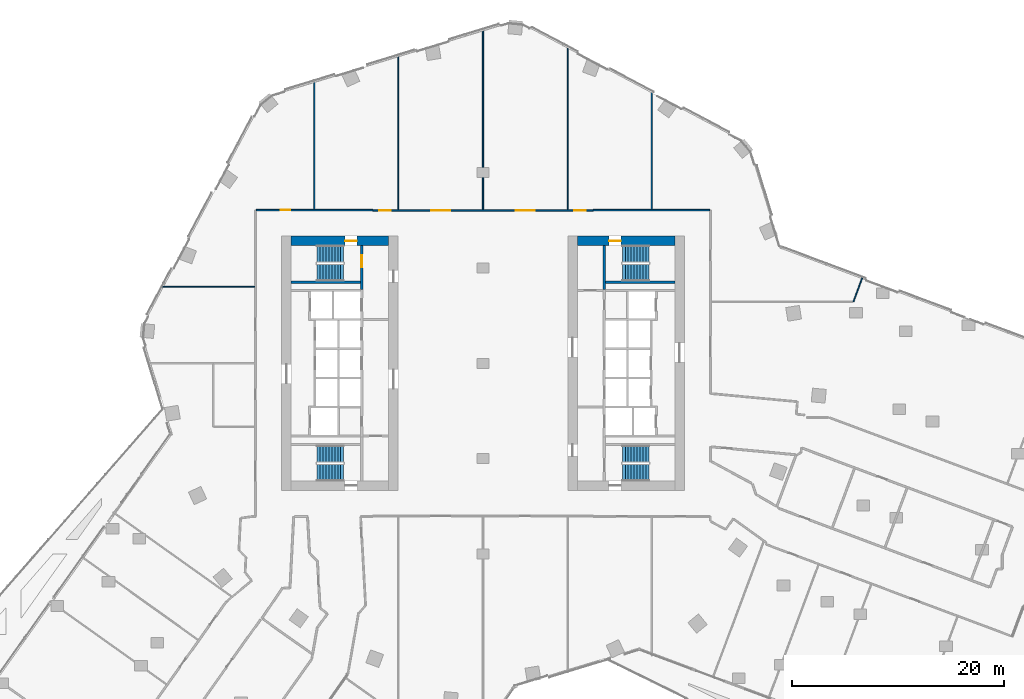
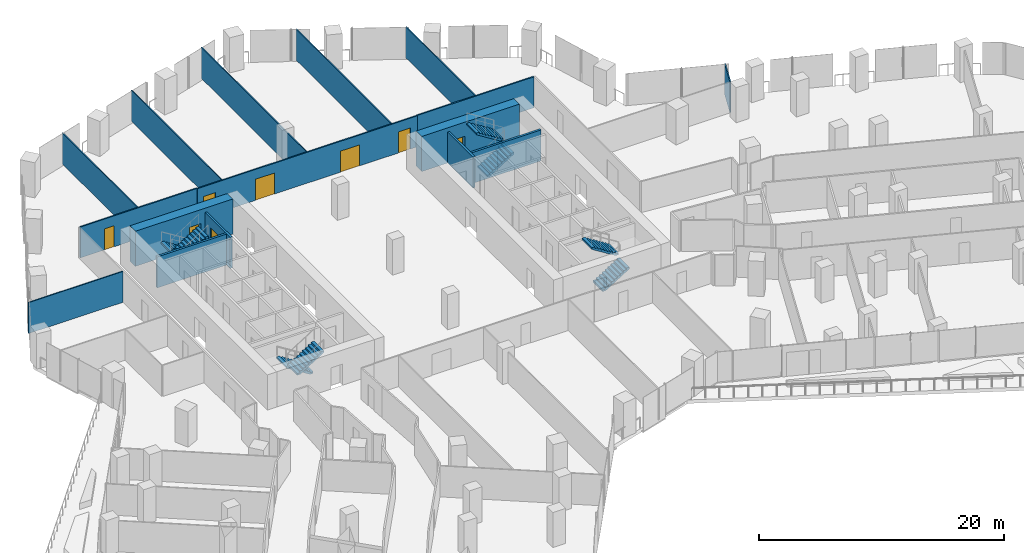
# One storey, part 26 of 30: 16 walls, 8 doors, 8 stair flights, 8 openings, 4 elements without a shape of their own.
"""IFC4 building model written with IfcOpenShell, lengths in metres."""

from ifc_helpers import new_model, si_unit, direction, frame, frame_2d, origin, place, context, subcontext, project, spatial, polyline, rectangle, outline, extrude, material, layer, layer_set, type_object, element, fill, aggregate, save


model = new_model("IFC4")

# Units and contexts
model_context = context("Model", 3, precision=1e-05, world=origin(), true_north=direction((0.0, 1.0)))
body_context = subcontext(model_context, "Body", "Model", "MODEL_VIEW")
ifc_project = project(units=[si_unit("LENGTHUNIT", "METRE"), si_unit("AREAUNIT", "SQUARE_METRE"), si_unit("VOLUMEUNIT", "CUBIC_METRE"), si_unit("PLANEANGLEUNIT", "RADIAN"), si_unit("MASSUNIT", "GRAM", prefix="KILO")], contexts=[model_context])

# Site, building, storey
site_placement = place(None, origin())
site = spatial("IfcSite", under=ifc_project, at=site_placement, CompositionType="ELEMENT")
building_placement = place(site_placement, origin())
building = spatial("IfcBuilding", under=site, at=building_placement, Name="Orlundy Tower", CompositionType="ELEMENT")
storey_placement = place(building_placement, frame((0.0, 0.0, 80.699951171875)))
storey = spatial("IfcBuildingStorey", under=building, at=storey_placement, Name="L19", CompositionType="ELEMENT", Elevation=80.699951171875)

# Wall, opening, door
ifc_material_1 = material(Name="Concrete C80/95", Category="concrete")
ifc_layer_1 = layer(ifc_material_1, 0.89990234375)
ifc_layer_set_1 = layer_set([ifc_layer_1], Name="CORE WALL 900 C80/95")
wall_type_1 = type_object("IfcWallType", Name="CORE WALL 900 C80/95", PredefinedType="SHEAR", material=ifc_layer_set_1)
wall_1_placement = place(storey_placement, frame((-18.10009765625, 11.550048828125, 0.0), z_axis=(0.0, 0.0, 1.0), x_axis=(1.0, 0.0, 0.0)))
wall_1 = element("IfcWall", 1, at=wall_1_placement, inside=storey, type_object=wall_type_1, Name="Core wall W-N L19", PredefinedType="SHEAR", context=body_context, shape_type="SweptSolid", body=[
    extrude(rectangle(XDim=9.2001953125, YDim=0.89990234375, at=frame_2d((4.60009765625, 0.0))), origin(), (0.0, 0.0, 1.0), 3.5),
])
opening_1_placement = place(wall_1_placement, frame((5.10009765625, 0.0, 0.0)))
opening_1 = element("IfcOpeningElement", 2, at=opening_1_placement, cuts=wall_1, Name="Opening 16012", PredefinedType="OPENING", context=body_context, shape_type="SweptSolid", body=[
    extrude(rectangle(XDim=1.10009765625, YDim=2.10009765625, at=frame_2d((0.550048828125, 1.050048828125))), frame((0.0, 0.4599609375, 0.0), z_axis=(0.0, -1.0, 0.0), x_axis=(1.0, 0.0, 0.0)), (0.0, 0.0, 1.0), 0.919921875),
])
ifc_material_2 = material(Name="Steel door set", Category="steel")
door_type_1 = type_object("IfcDoorType", Name="Stair Door 1100x2100", OperationType="SINGLE_SWING_LEFT", PredefinedType="DOOR", material=ifc_material_2)
door_1_placement = place(opening_1_placement, origin())
door_1 = element("IfcDoor", 3, at=door_1_placement, inside=storey, type_object=door_type_1, Name="Stair door 16012", OperationType="SINGLE_SWING_RIGHT", OverallHeight=2.10009765625, OverallWidth=1.10009765625, PredefinedType="DOOR", context=body_context, shape_type="SweptSolid", body=[
    extrude(rectangle(XDim=1.10009765625, YDim=2.10009765625, at=frame_2d((0.550048828125, 1.050048828125))), frame((0.0, 0.02490234375, 0.0), z_axis=(0.0, -1.0, 0.0), x_axis=(1.0, 0.0, 0.0)), (0.0, 0.0, 1.0), 0.050048828125),
])
fill(opening_1, door_1)

wall_2_placement = place(storey_placement, frame((8.89990234375, 11.550048828125, 0.0), z_axis=(0.0, 0.0, 1.0), x_axis=(1.0, 0.0, 0.0)))
wall_2 = element("IfcWall", 4, at=wall_2_placement, inside=storey, type_object=wall_type_1, Name="Core wall E-N L19", PredefinedType="SHEAR", context=body_context, shape_type="SweptSolid", body=[
    extrude(rectangle(XDim=9.2001953125, YDim=0.89990234375, at=frame_2d((4.60009765625, 0.0))), origin(), (0.0, 0.0, 1.0), 3.5),
])
opening_2_placement = place(wall_2_placement, frame((3.0, 0.0, 0.0)))
opening_2 = element("IfcOpeningElement", 5, at=opening_2_placement, cuts=wall_2, Name="Opening 16062", PredefinedType="OPENING", context=body_context, shape_type="SweptSolid", body=[
    extrude(rectangle(XDim=1.10009765625, YDim=2.10009765625, at=frame_2d((0.550048828125, 1.050048828125))), frame((0.0, 0.4599609375, 0.0), z_axis=(0.0, -1.0, 0.0), x_axis=(1.0, 0.0, 0.0)), (0.0, 0.0, 1.0), 0.919921875),
])
door_2_placement = place(opening_2_placement, origin())
door_2 = element("IfcDoor", 6, at=door_2_placement, inside=storey, type_object=door_type_1, Name="Stair door 16062", OperationType="SINGLE_SWING_LEFT", OverallHeight=2.10009765625, OverallWidth=1.10009765625, PredefinedType="DOOR", context=body_context, shape_type="SweptSolid", body=[
    extrude(rectangle(XDim=1.10009765625, YDim=2.10009765625, at=frame_2d((0.550048828125, 1.050048828125))), frame((0.0, 0.02490234375, 0.0), z_axis=(0.0, -1.0, 0.0), x_axis=(1.0, 0.0, 0.0)), (0.0, 0.0, 1.0), 0.050048828125),
])
fill(opening_2, door_2)

# Walls
ifc_material_3 = material(Name="Gypsum board partition")
ifc_layer_2 = layer(ifc_material_3, 0.10009765625)
ifc_layer_set_2 = layer_set([ifc_layer_2], Name="Floor partition 100")
wall_type_2 = type_object("IfcWallType", Name="Floor partition 100", PredefinedType="PARTITIONING", material=ifc_layer_set_2)
wall_3_placement = place(storey_placement, frame((-30.4169921875, 7.22705078125, 0.0), z_axis=(0.0, 0.0, 1.0), x_axis=(1.0, 0.0, 0.0)))
element("IfcWall", 7, at=wall_3_placement, inside=storey, type_object=wall_type_2, Name="wall-int-L19-048", PredefinedType="PARTITIONING", context=body_context, shape_type="SweptSolid", body=[
    extrude(rectangle(XDim=8.905029296875, YDim=0.10009765625, at=frame_2d((4.45263671875, 0.0))), origin(), (0.0, 0.0, 1.0), 3.080078125),
])
wall_4_placement = place(storey_placement, frame((34.93603515625, 5.800048828125, 0.0), z_axis=(0.0, 0.0, 1.0), x_axis=(0.350418907124, 0.936593075743, 0.0)))
element("IfcWall", 8, at=wall_4_placement, inside=storey, type_object=wall_type_2, Name="wall-int-L19-080", PredefinedType="PARTITIONING", context=body_context, shape_type="SweptSolid", body=[
    extrude(rectangle(XDim=2.582763671875, YDim=0.10009765625, at=frame_2d((1.29150390625, 0.0))), origin(), (0.0, 0.0, 1.0), 3.080078125),
])
wall_5_placement = place(storey_placement, frame((15.9208984375, 14.513916015625, 0.0), z_axis=(0.0, 0.0, 1.0), x_axis=(0.0, 1.0, 0.0)))
element("IfcWall", 9, at=wall_5_placement, inside=storey, type_object=wall_type_2, Name="wall-int-L19-095", PredefinedType="PARTITIONING", context=body_context, shape_type="SweptSolid", body=[
    extrude(rectangle(XDim=11.281005859375, YDim=0.10009765625, at=frame_2d((5.640625, 0.0))), origin(), (0.0, 0.0, 1.0), 3.080078125),
])
wall_6_placement = place(storey_placement, frame((8.0, 14.462890625, 0.0), z_axis=(0.0, 0.0, 1.0), x_axis=(0.0, 1.0, 0.0)))
element("IfcWall", 10, at=wall_6_placement, inside=storey, type_object=wall_type_2, Name="wall-int-L19-097", PredefinedType="PARTITIONING", context=body_context, shape_type="SweptSolid", body=[
    extrude(rectangle(XDim=15.543212890625, YDim=0.10009765625, at=frame_2d((7.771484375, 0.0))), origin(), (0.0, 0.0, 1.0), 3.080078125),
])
wall_7_placement = place(storey_placement, frame((0.0, 14.462890625, 0.0), z_axis=(0.0, 0.0, 1.0), x_axis=(0.0, 1.0, 0.0)))
element("IfcWall", 11, at=wall_7_placement, inside=storey, type_object=wall_type_2, Name="wall-int-L19-099", PredefinedType="PARTITIONING", context=body_context, shape_type="SweptSolid", body=[
    extrude(rectangle(XDim=17.169189453125, YDim=0.10009765625, at=frame_2d((8.58447265625, 0.0))), origin(), (0.0, 0.0, 1.0), 3.080078125),
])
wall_8_placement = place(storey_placement, frame((-8.0, 14.462890625, 0.0), z_axis=(0.0, 0.0, 1.0), x_axis=(0.0, 1.0, 0.0)))
element("IfcWall", 12, at=wall_8_placement, inside=storey, type_object=wall_type_2, Name="wall-int-L19-101", PredefinedType="PARTITIONING", context=body_context, shape_type="SweptSolid", body=[
    extrude(rectangle(XDim=14.72314453125, YDim=0.10009765625, at=frame_2d((7.361572265625, 0.0))), origin(), (0.0, 0.0, 1.0), 3.080078125),
])
wall_9_placement = place(storey_placement, frame((-15.919921875, 14.513916015625, 0.0), z_axis=(0.0, 0.0, 1.0), x_axis=(0.0, 1.0, 0.0)))
element("IfcWall", 13, at=wall_9_placement, inside=storey, type_object=wall_type_2, Name="wall-int-L19-102", PredefinedType="PARTITIONING", context=body_context, shape_type="SweptSolid", body=[
    extrude(rectangle(XDim=12.2509765625, YDim=0.10009765625, at=frame_2d((6.12548828125, 0.0))), origin(), (0.0, 0.0, 1.0), 3.080078125),
])

# Wall, openings, doors
ifc_material_4 = material(Name="Gypsum board partition, double layer")
ifc_layer_3 = layer(ifc_material_4, 0.125)
ifc_layer_set_3 = layer_set([ifc_layer_3], Name="Floor partition 125")
wall_type_3 = type_object("IfcWallType", Name="Floor partition 125", PredefinedType="PARTITIONING", material=ifc_layer_set_3)
wall_10_placement = place(storey_placement, frame((-10.389892578125, 14.40087890625, 0.0), z_axis=(0.0, 0.0, 1.0), x_axis=(1.0, 0.0, 0.0)))
wall_10 = element("IfcWall", 14, at=wall_10_placement, inside=storey, type_object=wall_type_3, Name="wall-int-L19-049", PredefinedType="PARTITIONING", context=body_context, shape_type="SweptSolid", body=[
    extrude(rectangle(XDim=20.781005859375, YDim=0.125, at=frame_2d((10.390625, 0.0))), origin(), (0.0, 0.0, 1.0), 3.080078125),
])
opening_3_placement = place(wall_10_placement, frame((18.989990234375, 0.0, 0.0)))
opening_3 = element("IfcOpeningElement", 15, at=opening_3_placement, cuts=wall_10, Name="Opening 16129", PredefinedType="OPENING", context=body_context, shape_type="SweptSolid", body=[
    extrude(rectangle(XDim=1.10009765625, YDim=2.10009765625, at=frame_2d((0.550048828125, 1.050048828125))), frame((0.0, 0.072509765625, 0.0), z_axis=(0.0, -1.0, 0.0), x_axis=(1.0, 0.0, 0.0)), (0.0, 0.0, 1.0), 0.14501953125),
])
opening_4_placement = place(wall_10_placement, frame((13.489990234375, 0.0, 0.0)))
opening_4 = element("IfcOpeningElement", 16, at=opening_4_placement, cuts=wall_10, Name="Opening 16130", PredefinedType="OPENING", context=body_context, shape_type="SweptSolid", body=[
    extrude(rectangle(XDim=1.800048828125, YDim=2.10009765625, at=frame_2d((0.89990234375, 1.050048828125))), frame((0.0, 0.072509765625, 0.0), z_axis=(0.0, -1.0, 0.0), x_axis=(1.0, 0.0, 0.0)), (0.0, 0.0, 1.0), 0.14501953125),
])
opening_5_placement = place(wall_10_placement, frame((5.489990234375, 0.0, 0.0)))
opening_5 = element("IfcOpeningElement", 17, at=opening_5_placement, cuts=wall_10, Name="Opening 16131", PredefinedType="OPENING", context=body_context, shape_type="SweptSolid", body=[
    extrude(rectangle(XDim=1.800048828125, YDim=2.10009765625, at=frame_2d((0.89990234375, 1.050048828125))), frame((0.0, 0.072509765625, 0.0), z_axis=(0.0, -1.0, 0.0), x_axis=(1.0, 0.0, 0.0)), (0.0, 0.0, 1.0), 0.14501953125),
])
opening_6_placement = place(wall_10_placement, frame((0.60009765625, 0.0, 0.0)))
opening_6 = element("IfcOpeningElement", 18, at=opening_6_placement, cuts=wall_10, Name="Opening 16132", PredefinedType="OPENING", context=body_context, shape_type="SweptSolid", body=[
    extrude(rectangle(XDim=1.10009765625, YDim=2.10009765625, at=frame_2d((0.550048828125, 1.050048828125))), frame((0.0, 0.072509765625, 0.0), z_axis=(0.0, -1.0, 0.0), x_axis=(1.0, 0.0, 0.0)), (0.0, 0.0, 1.0), 0.14501953125),
])
ifc_material_5 = material(Name="Timber door leaf", Category="wood")
door_type_2 = type_object("IfcDoorType", Name="Floor door double 1800 FD30S", OperationType="NOTDEFINED", PredefinedType="DOOR", material=ifc_material_5)
door_3_placement = place(opening_4_placement, origin())
door_3 = element("IfcDoor", 19, at=door_3_placement, inside=storey, type_object=door_type_2, Name="Door 16130", OperationType="DOUBLE_DOOR_SINGLE_SWING", OverallHeight=2.10009765625, OverallWidth=1.800048828125, PredefinedType="DOOR", context=body_context, shape_type="SweptSolid", body=[
    extrude(rectangle(XDim=1.800048828125, YDim=2.10009765625, at=frame_2d((0.89990234375, 1.050048828125))), frame((0.0, 0.02490234375, 0.0), z_axis=(0.0, -1.0, 0.0), x_axis=(1.0, 0.0, 0.0)), (0.0, 0.0, 1.0), 0.050048828125),
])
fill(opening_4, door_3)
door_4_placement = place(opening_5_placement, origin())
door_4 = element("IfcDoor", 20, at=door_4_placement, inside=storey, type_object=door_type_2, Name="Door 16131", OperationType="DOUBLE_DOOR_SINGLE_SWING", OverallHeight=2.10009765625, OverallWidth=1.800048828125, PredefinedType="DOOR", context=body_context, shape_type="SweptSolid", body=[
    extrude(rectangle(XDim=1.800048828125, YDim=2.10009765625, at=frame_2d((0.89990234375, 1.050048828125))), frame((0.0, 0.02490234375, 0.0), z_axis=(0.0, -1.0, 0.0), x_axis=(1.0, 0.0, 0.0)), (0.0, 0.0, 1.0), 0.050048828125),
])
fill(opening_5, door_4)
ifc_material_6 = material(Name="Timber door leaf", Category="wood")
door_type_3 = type_object("IfcDoorType", Name="Floor door xwide 1100 FD30S", OperationType="NOTDEFINED", PredefinedType="DOOR", material=ifc_material_6)
door_5_placement = place(opening_3_placement, origin())
door_5 = element("IfcDoor", 21, at=door_5_placement, inside=storey, type_object=door_type_3, Name="Door 16129", OperationType="SINGLE_SWING_RIGHT", OverallHeight=2.10009765625, OverallWidth=1.10009765625, PredefinedType="DOOR", context=body_context, shape_type="SweptSolid", body=[
    extrude(rectangle(XDim=1.10009765625, YDim=2.10009765625, at=frame_2d((0.550048828125, 1.050048828125))), frame((0.0, 0.02490234375, 0.0), z_axis=(0.0, -1.0, 0.0), x_axis=(1.0, 0.0, 0.0)), (0.0, 0.0, 1.0), 0.050048828125),
])
fill(opening_3, door_5)
door_6_placement = place(opening_6_placement, origin())
door_6 = element("IfcDoor", 22, at=door_6_placement, inside=storey, type_object=door_type_3, Name="Door 16132", OperationType="SINGLE_SWING_LEFT", OverallHeight=2.10009765625, OverallWidth=1.10009765625, PredefinedType="DOOR", context=body_context, shape_type="SweptSolid", body=[
    extrude(rectangle(XDim=1.10009765625, YDim=2.10009765625, at=frame_2d((0.550048828125, 1.050048828125))), frame((0.0, 0.02490234375, 0.0), z_axis=(0.0, -1.0, 0.0), x_axis=(1.0, 0.0, 0.0)), (0.0, 0.0, 1.0), 0.050048828125),
])
fill(opening_6, door_6)

# Wall, opening, door
wall_11_placement = place(storey_placement, frame((-21.386962890625, 14.450927734375, 0.0), z_axis=(0.0, 0.0, 1.0), x_axis=(1.0, 0.0, 0.0)))
wall_11 = element("IfcWall", 23, at=wall_11_placement, inside=storey, type_object=wall_type_3, Name="wall-int-L19-050", PredefinedType="PARTITIONING", context=body_context, shape_type="SweptSolid", body=[
    extrude(rectangle(XDim=10.995849609375, YDim=0.125, at=frame_2d((5.498046875, 0.0))), origin(), (0.0, 0.0, 1.0), 3.080078125),
])
opening_7_placement = place(wall_11_placement, frame((2.28759765625, 0.0, 0.0)))
opening_7 = element("IfcOpeningElement", 24, at=opening_7_placement, cuts=wall_11, Name="Opening 16133", PredefinedType="OPENING", context=body_context, shape_type="SweptSolid", body=[
    extrude(rectangle(XDim=0.89990234375, YDim=2.10009765625, at=frame_2d((0.449951171875, 1.050048828125))), frame((0.0, 0.072509765625, 0.0), z_axis=(0.0, -1.0, 0.0), x_axis=(1.0, 0.0, 0.0)), (0.0, 0.0, 1.0), 0.14501953125),
])
ifc_material_7 = material(Name="Timber door leaf", Category="wood")
door_type_4 = type_object("IfcDoorType", Name="Floor door single 900 FD30S", OperationType="NOTDEFINED", PredefinedType="DOOR", material=ifc_material_7)
door_7_placement = place(opening_7_placement, origin())
door_7 = element("IfcDoor", 25, at=door_7_placement, inside=storey, type_object=door_type_4, Name="Door 16133", OperationType="SINGLE_SWING_LEFT", OverallHeight=2.10009765625, OverallWidth=0.89990234375, PredefinedType="DOOR", context=body_context, shape_type="SweptSolid", body=[
    extrude(rectangle(XDim=0.89990234375, YDim=2.10009765625, at=frame_2d((0.449951171875, 1.050048828125))), frame((0.0, 0.02490234375, 0.0), z_axis=(0.0, -1.0, 0.0), x_axis=(1.0, 0.0, 0.0)), (0.0, 0.0, 1.0), 0.050048828125),
])
fill(opening_7, door_7)

# Wall
wall_12_placement = place(storey_placement, frame((10.39111328125, 14.450927734375, 0.0), z_axis=(0.0, 0.0, 1.0), x_axis=(1.0, 0.0, 0.0)))
element("IfcWall", 26, at=wall_12_placement, inside=storey, type_object=wall_type_3, Name="wall-int-L19-051", PredefinedType="PARTITIONING", context=body_context, shape_type="SweptSolid", body=[
    extrude(rectangle(XDim=10.995849609375, YDim=0.125, at=frame_2d((5.498046875, 0.0))), origin(), (0.0, 0.0, 1.0), 3.080078125),
])

# Wall, opening, door
ifc_material_8 = material(Name="Concrete C40/50", Category="concrete")
ifc_layer_4 = layer(ifc_material_8, 0.199951171875)
ifc_layer_set_4 = layer_set([ifc_layer_4], Name="Load-bearing Shaft Wall 200")
wall_type_4 = type_object("IfcWallType", Name="Load-bearing Shaft Wall 200", PredefinedType="SOLIDWALL", material=ifc_layer_set_4)
wall_13_placement = place(storey_placement, frame((-11.43994140625, 6.97509765625, 0.0), z_axis=(0.0, 0.0, 1.0), x_axis=(0.0, 1.0, 0.0)))
wall_13 = element("IfcWall", 27, at=wall_13_placement, inside=storey, type_object=wall_type_4, Name="Shaft wall W16-stair-end-n", PredefinedType="SOLIDWALL", context=body_context, shape_type="SweptSolid", body=[
    extrude(rectangle(XDim=4.125, YDim=0.199951171875, at=frame_2d((2.0625, 0.0))), origin(), (0.0, 0.0, 1.0), 3.090087890625),
])
opening_8_placement = place(wall_13_placement, frame((2.10009765625, 0.0, 0.0)))
opening_8 = element("IfcOpeningElement", 28, at=opening_8_placement, cuts=wall_13, Name="Opening 16014", PredefinedType="OPENING", context=body_context, shape_type="SweptSolid", body=[
    extrude(rectangle(XDim=1.10009765625, YDim=2.10009765625, at=frame_2d((0.550048828125, 1.050048828125))), frame((0.0, 0.110107421875, 0.0), z_axis=(0.0, -1.0, 0.0), x_axis=(1.0, 0.0, 0.0)), (0.0, 0.0, 1.0), 0.22021484375),
])
ifc_material_9 = material(Name="Steel door set", Category="steel")
door_type_5 = type_object("IfcDoorType", Name="Fire-fighting Lobby Door 1100x2100", OperationType="SINGLE_SWING_LEFT", PredefinedType="DOOR", material=ifc_material_9)
door_8_placement = place(opening_8_placement, origin())
door_8 = element("IfcDoor", 29, at=door_8_placement, inside=storey, type_object=door_type_5, Name="Fire-fighting lobby to stair door 16014", OperationType="SINGLE_SWING_RIGHT", OverallHeight=2.10009765625, OverallWidth=1.10009765625, PredefinedType="DOOR", context=body_context, shape_type="SweptSolid", body=[
    extrude(rectangle(XDim=1.10009765625, YDim=2.10009765625, at=frame_2d((0.550048828125, 1.050048828125))), frame((0.0, 0.02490234375, 0.0), z_axis=(0.0, -1.0, 0.0), x_axis=(1.0, 0.0, 0.0)), (0.0, 0.0, 1.0), 0.050048828125),
])
fill(opening_8, door_8)

# Walls
wall_14_placement = place(storey_placement, frame((-11.5400390625, 7.64990234375, 0.0), z_axis=(0.0, 0.0, 1.0), x_axis=(-1.0, 0.0, 0.0)))
element("IfcWall", 30, at=wall_14_placement, inside=storey, type_object=wall_type_4, Name="Shaft wall W16-stair-side-n", PredefinedType="SOLIDWALL", context=body_context, shape_type="SweptSolid", body=[
    extrude(rectangle(XDim=6.56005859375, YDim=0.199951171875, at=frame_2d((3.280029296875, 0.0))), origin(), (0.0, 0.0, 1.0), 3.090087890625),
])
wall_15_placement = place(storey_placement, frame((11.43994140625, 11.10009765625, 0.0), z_axis=(0.0, 0.0, 1.0), x_axis=(0.0, -1.0, 0.0)))
element("IfcWall", 31, at=wall_15_placement, inside=storey, type_object=wall_type_4, Name="Shaft wall E16-stair-end-s", PredefinedType="SOLIDWALL", context=body_context, shape_type="SweptSolid", body=[
    extrude(rectangle(XDim=4.125, YDim=0.199951171875, at=frame_2d((2.0625, 0.0))), origin(), (0.0, 0.0, 1.0), 3.090087890625),
])
wall_16_placement = place(storey_placement, frame((11.5400390625, 7.64990234375, 0.0), z_axis=(0.0, 0.0, 1.0), x_axis=(1.0, 0.0, 0.0)))
element("IfcWall", 32, at=wall_16_placement, inside=storey, type_object=wall_type_4, Name="Shaft wall E16-stair-side-s", PredefinedType="SOLIDWALL", context=body_context, shape_type="SweptSolid", body=[
    extrude(rectangle(XDim=6.56005859375, YDim=0.199951171875, at=frame_2d((3.280029296875, 0.0))), origin(), (0.0, 0.0, 1.0), 3.090087890625),
])

# Stair, stair flights
ifc_material_10 = material(Name="Concrete C50/60", Category="concrete")
stair_type = type_object("IfcStairType", Name="Exit Stair 20 risers", PredefinedType="HALF_TURN_STAIR", material=ifc_material_10)
stair_1_placement = place(storey_placement, origin())
stair_1 = element("IfcStair", 33, at=stair_1_placement, inside=storey, type_object=stair_type, Name="L19 Exit Stair ST-W1", PredefinedType="HALF_TURN_STAIR")
ifc_material_11 = material(Name="Concrete C50/60", Category="concrete")
stair_flight_type = type_object("IfcStairFlightType", Name="Stair Flight 10 risers", PredefinedType="STRAIGHT", material=ifc_material_11)
stair_flight_1_placement = place(storey_placement, frame((-13.139892578125, 10.300048828125, 0.0), z_axis=(0.0, 0.0, 1.0), x_axis=(-1.0, 0.0, 0.0)))
stair_flight_1 = element("IfcStairFlight", 34, at=stair_flight_1_placement, type_object=stair_flight_type, Name="ST-W1 flight 1", NumberOfRisers=10, NumberOfTreads=9, PredefinedType="STRAIGHT", RiserHeight=0.175, TreadLength=0.28, context=body_context, shape_type="SweptSolid", body=[
    extrude(outline(polyline([(0.0, 0.0), (0.0, 0.175048828125), (0.280029296875, 0.175048828125), (0.280029296875, 0.35009765625), (0.56005859375, 0.35009765625), (0.56005859375, 0.52490234375), (0.840087890625, 0.52490234375), (0.840087890625, 0.699951171875), (1.1201171875, 0.699951171875), (1.1201171875, 0.875), (1.39990234375, 0.875), (1.39990234375, 1.050048828125), (1.679931640625, 1.050048828125), (1.679931640625, 1.22509765625), (1.9599609375, 1.22509765625), (1.9599609375, 1.39990234375), (2.239990234375, 1.39990234375), (2.239990234375, 1.574951171875), (2.52001953125, 1.574951171875), (2.52001953125, 1.75), (2.52001953125, 1.398193359375), (0.28271484375, 0.0), (0.0, 0.0)])), frame((0.0, 0.800048828125, 0.0), z_axis=(0.0, -1.0, 0.0), x_axis=(1.0, 0.0, 0.0)), (0.0, 0.0, 1.0), 1.60009765625),
])
stair_flight_2_placement = place(storey_placement, frame((-15.659912109375, 8.550048828125, 1.75), z_axis=(0.0, 0.0, 1.0), x_axis=(1.0, 0.0, 0.0)))
stair_flight_2 = element("IfcStairFlight", 35, at=stair_flight_2_placement, type_object=stair_flight_type, Name="ST-W1 flight 2", NumberOfRisers=10, NumberOfTreads=9, PredefinedType="STRAIGHT", RiserHeight=0.175, TreadLength=0.28, context=body_context, shape_type="SweptSolid", body=[
    extrude(outline(polyline([(0.0, 0.0), (0.0, 0.175048828125), (0.280029296875, 0.175048828125), (0.280029296875, 0.35009765625), (0.56005859375, 0.35009765625), (0.56005859375, 0.52490234375), (0.840087890625, 0.52490234375), (0.840087890625, 0.699951171875), (1.1201171875, 0.699951171875), (1.1201171875, 0.875), (1.39990234375, 0.875), (1.39990234375, 1.050048828125), (1.679931640625, 1.050048828125), (1.679931640625, 1.22509765625), (1.9599609375, 1.22509765625), (1.9599609375, 1.39990234375), (2.239990234375, 1.39990234375), (2.239990234375, 1.574951171875), (2.52001953125, 1.574951171875), (2.52001953125, 1.75), (2.52001953125, 1.398193359375), (0.28271484375, 0.0), (0.0, 0.0)])), frame((0.0, 0.800048828125, 0.0), z_axis=(0.0, -1.0, 0.0), x_axis=(1.0, 0.0, 0.0)), (0.0, 0.0, 1.0), 1.60009765625),
])
aggregate(stair_1, [stair_flight_1, stair_flight_2])

stair_2_placement = place(storey_placement, origin())
stair_2 = element("IfcStair", 36, at=stair_2_placement, inside=storey, type_object=stair_type, Name="L19 Exit Stair ST-W2", PredefinedType="HALF_TURN_STAIR")
stair_flight_3_placement = place(storey_placement, frame((-13.139892578125, -8.550048828125, 0.0), z_axis=(0.0, 0.0, 1.0), x_axis=(-1.0, 0.0, 0.0)))
stair_flight_3 = element("IfcStairFlight", 37, at=stair_flight_3_placement, type_object=stair_flight_type, Name="ST-W2 flight 1", NumberOfRisers=10, NumberOfTreads=9, PredefinedType="STRAIGHT", RiserHeight=0.175, TreadLength=0.28, context=body_context, shape_type="SweptSolid", body=[
    extrude(outline(polyline([(0.0, 0.0), (0.0, 0.175048828125), (0.280029296875, 0.175048828125), (0.280029296875, 0.35009765625), (0.56005859375, 0.35009765625), (0.56005859375, 0.52490234375), (0.840087890625, 0.52490234375), (0.840087890625, 0.699951171875), (1.1201171875, 0.699951171875), (1.1201171875, 0.875), (1.39990234375, 0.875), (1.39990234375, 1.050048828125), (1.679931640625, 1.050048828125), (1.679931640625, 1.22509765625), (1.9599609375, 1.22509765625), (1.9599609375, 1.39990234375), (2.239990234375, 1.39990234375), (2.239990234375, 1.574951171875), (2.52001953125, 1.574951171875), (2.52001953125, 1.75), (2.52001953125, 1.398193359375), (0.28271484375, 0.0), (0.0, 0.0)])), frame((0.0, 0.800048828125, 0.0), z_axis=(0.0, -1.0, 0.0), x_axis=(1.0, 0.0, 0.0)), (0.0, 0.0, 1.0), 1.60009765625),
])
stair_flight_4_placement = place(storey_placement, frame((-15.659912109375, -10.300048828125, 1.75), z_axis=(0.0, 0.0, 1.0), x_axis=(1.0, 0.0, 0.0)))
stair_flight_4 = element("IfcStairFlight", 38, at=stair_flight_4_placement, type_object=stair_flight_type, Name="ST-W2 flight 2", NumberOfRisers=10, NumberOfTreads=9, PredefinedType="STRAIGHT", RiserHeight=0.175, TreadLength=0.28, context=body_context, shape_type="SweptSolid", body=[
    extrude(outline(polyline([(0.0, 0.0), (0.0, 0.175048828125), (0.280029296875, 0.175048828125), (0.280029296875, 0.35009765625), (0.56005859375, 0.35009765625), (0.56005859375, 0.52490234375), (0.840087890625, 0.52490234375), (0.840087890625, 0.699951171875), (1.1201171875, 0.699951171875), (1.1201171875, 0.875), (1.39990234375, 0.875), (1.39990234375, 1.050048828125), (1.679931640625, 1.050048828125), (1.679931640625, 1.22509765625), (1.9599609375, 1.22509765625), (1.9599609375, 1.39990234375), (2.239990234375, 1.39990234375), (2.239990234375, 1.574951171875), (2.52001953125, 1.574951171875), (2.52001953125, 1.75), (2.52001953125, 1.398193359375), (0.28271484375, 0.0), (0.0, 0.0)])), frame((0.0, 0.800048828125, 0.0), z_axis=(0.0, -1.0, 0.0), x_axis=(1.0, 0.0, 0.0)), (0.0, 0.0, 1.0), 1.60009765625),
])
aggregate(stair_2, [stair_flight_3, stair_flight_4])

stair_3_placement = place(storey_placement, origin())
stair_3 = element("IfcStair", 39, at=stair_3_placement, inside=storey, type_object=stair_type, Name="L19 Exit Stair ST-E1", PredefinedType="HALF_TURN_STAIR")
stair_flight_5_placement = place(storey_placement, frame((13.139892578125, -10.300048828125, 0.0), z_axis=(0.0, 0.0, 1.0), x_axis=(1.0, 0.0, 0.0)))
stair_flight_5 = element("IfcStairFlight", 40, at=stair_flight_5_placement, type_object=stair_flight_type, Name="ST-E1 flight 1", NumberOfRisers=10, NumberOfTreads=9, PredefinedType="STRAIGHT", RiserHeight=0.175, TreadLength=0.28, context=body_context, shape_type="SweptSolid", body=[
    extrude(outline(polyline([(0.0, 0.0), (0.0, 0.175048828125), (0.280029296875, 0.175048828125), (0.280029296875, 0.35009765625), (0.56005859375, 0.35009765625), (0.56005859375, 0.52490234375), (0.840087890625, 0.52490234375), (0.840087890625, 0.699951171875), (1.1201171875, 0.699951171875), (1.1201171875, 0.875), (1.39990234375, 0.875), (1.39990234375, 1.050048828125), (1.679931640625, 1.050048828125), (1.679931640625, 1.22509765625), (1.9599609375, 1.22509765625), (1.9599609375, 1.39990234375), (2.239990234375, 1.39990234375), (2.239990234375, 1.574951171875), (2.52001953125, 1.574951171875), (2.52001953125, 1.75), (2.52001953125, 1.398193359375), (0.28271484375, 0.0), (0.0, 0.0)])), frame((0.0, 0.800048828125, 0.0), z_axis=(0.0, -1.0, 0.0), x_axis=(1.0, 0.0, 0.0)), (0.0, 0.0, 1.0), 1.60009765625),
])
stair_flight_6_placement = place(storey_placement, frame((15.659912109375, -8.550048828125, 1.75), z_axis=(0.0, 0.0, 1.0), x_axis=(-1.0, 0.0, 0.0)))
stair_flight_6 = element("IfcStairFlight", 41, at=stair_flight_6_placement, type_object=stair_flight_type, Name="ST-E1 flight 2", NumberOfRisers=10, NumberOfTreads=9, PredefinedType="STRAIGHT", RiserHeight=0.175, TreadLength=0.28, context=body_context, shape_type="SweptSolid", body=[
    extrude(outline(polyline([(0.0, 0.0), (0.0, 0.175048828125), (0.280029296875, 0.175048828125), (0.280029296875, 0.35009765625), (0.56005859375, 0.35009765625), (0.56005859375, 0.52490234375), (0.840087890625, 0.52490234375), (0.840087890625, 0.699951171875), (1.1201171875, 0.699951171875), (1.1201171875, 0.875), (1.39990234375, 0.875), (1.39990234375, 1.050048828125), (1.679931640625, 1.050048828125), (1.679931640625, 1.22509765625), (1.9599609375, 1.22509765625), (1.9599609375, 1.39990234375), (2.239990234375, 1.39990234375), (2.239990234375, 1.574951171875), (2.52001953125, 1.574951171875), (2.52001953125, 1.75), (2.52001953125, 1.398193359375), (0.28271484375, 0.0), (0.0, 0.0)])), frame((0.0, 0.800048828125, 0.0), z_axis=(0.0, -1.0, 0.0), x_axis=(1.0, 0.0, 0.0)), (0.0, 0.0, 1.0), 1.60009765625),
])
aggregate(stair_3, [stair_flight_5, stair_flight_6])

stair_4_placement = place(storey_placement, origin())
stair_4 = element("IfcStair", 42, at=stair_4_placement, inside=storey, type_object=stair_type, Name="L19 Exit Stair ST-E2", PredefinedType="HALF_TURN_STAIR")
stair_flight_7_placement = place(storey_placement, frame((13.139892578125, 8.550048828125, 0.0), z_axis=(0.0, 0.0, 1.0), x_axis=(1.0, 0.0, 0.0)))
stair_flight_7 = element("IfcStairFlight", 43, at=stair_flight_7_placement, type_object=stair_flight_type, Name="ST-E2 flight 1", NumberOfRisers=10, NumberOfTreads=9, PredefinedType="STRAIGHT", RiserHeight=0.175, TreadLength=0.28, context=body_context, shape_type="SweptSolid", body=[
    extrude(outline(polyline([(0.0, 0.0), (0.0, 0.175048828125), (0.280029296875, 0.175048828125), (0.280029296875, 0.35009765625), (0.56005859375, 0.35009765625), (0.56005859375, 0.52490234375), (0.840087890625, 0.52490234375), (0.840087890625, 0.699951171875), (1.1201171875, 0.699951171875), (1.1201171875, 0.875), (1.39990234375, 0.875), (1.39990234375, 1.050048828125), (1.679931640625, 1.050048828125), (1.679931640625, 1.22509765625), (1.9599609375, 1.22509765625), (1.9599609375, 1.39990234375), (2.239990234375, 1.39990234375), (2.239990234375, 1.574951171875), (2.52001953125, 1.574951171875), (2.52001953125, 1.75), (2.52001953125, 1.398193359375), (0.28271484375, 0.0), (0.0, 0.0)])), frame((0.0, 0.800048828125, 0.0), z_axis=(0.0, -1.0, 0.0), x_axis=(1.0, 0.0, 0.0)), (0.0, 0.0, 1.0), 1.60009765625),
])
stair_flight_8_placement = place(storey_placement, frame((15.659912109375, 10.300048828125, 1.75), z_axis=(0.0, 0.0, 1.0), x_axis=(-1.0, 0.0, 0.0)))
stair_flight_8 = element("IfcStairFlight", 44, at=stair_flight_8_placement, type_object=stair_flight_type, Name="ST-E2 flight 2", NumberOfRisers=10, NumberOfTreads=9, PredefinedType="STRAIGHT", RiserHeight=0.175, TreadLength=0.28, context=body_context, shape_type="SweptSolid", body=[
    extrude(outline(polyline([(0.0, 0.0), (0.0, 0.175048828125), (0.280029296875, 0.175048828125), (0.280029296875, 0.35009765625), (0.56005859375, 0.35009765625), (0.56005859375, 0.52490234375), (0.840087890625, 0.52490234375), (0.840087890625, 0.699951171875), (1.1201171875, 0.699951171875), (1.1201171875, 0.875), (1.39990234375, 0.875), (1.39990234375, 1.050048828125), (1.679931640625, 1.050048828125), (1.679931640625, 1.22509765625), (1.9599609375, 1.22509765625), (1.9599609375, 1.39990234375), (2.239990234375, 1.39990234375), (2.239990234375, 1.574951171875), (2.52001953125, 1.574951171875), (2.52001953125, 1.75), (2.52001953125, 1.398193359375), (0.28271484375, 0.0), (0.0, 0.0)])), frame((0.0, 0.800048828125, 0.0), z_axis=(0.0, -1.0, 0.0), x_axis=(1.0, 0.0, 0.0)), (0.0, 0.0, 1.0), 1.60009765625),
])
aggregate(stair_4, [stair_flight_7, stair_flight_8])

save(model, "model.ifc")
